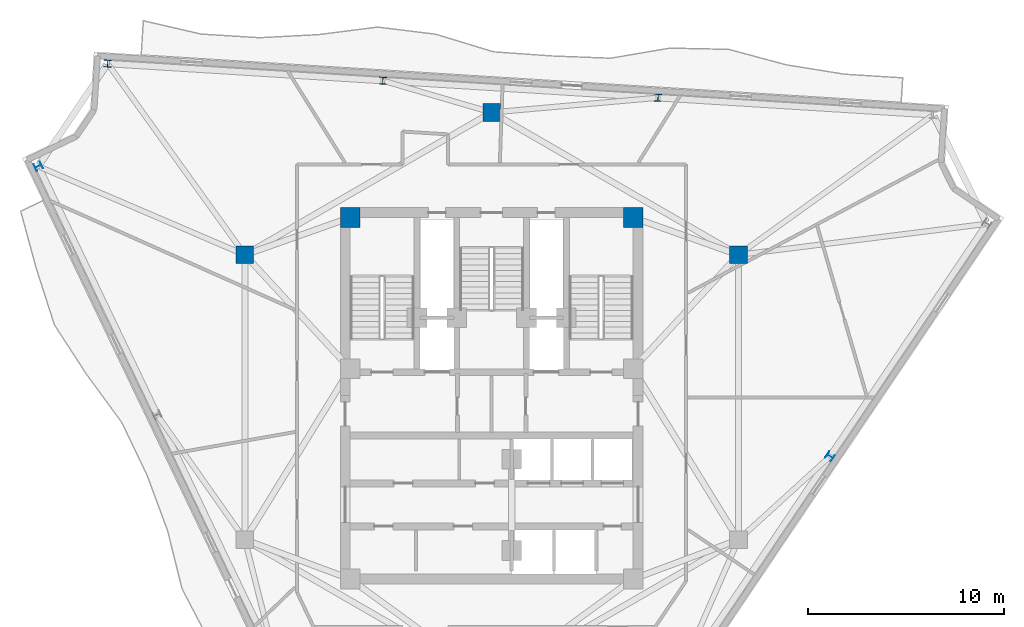
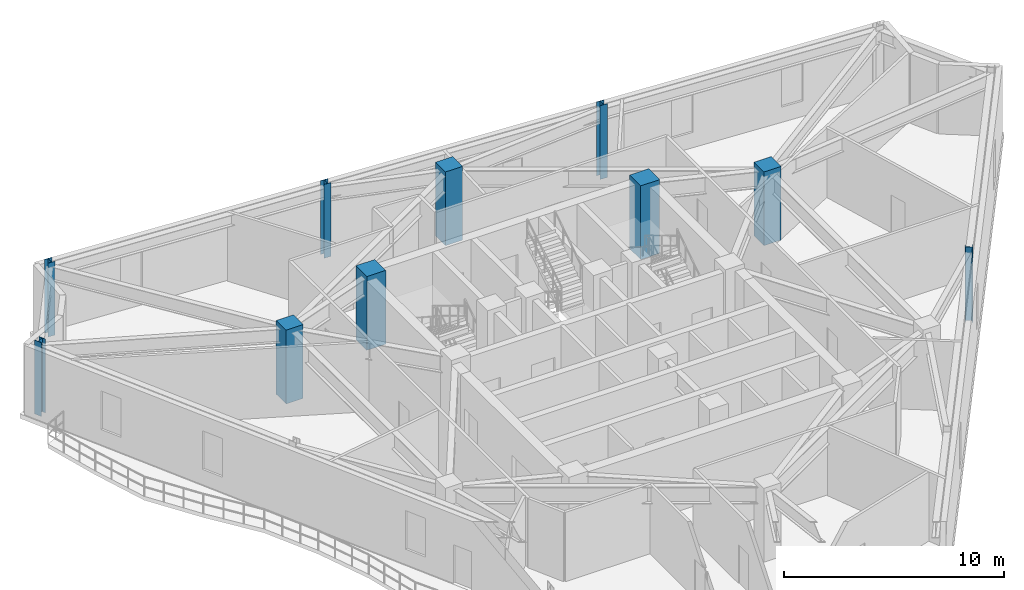
# One storey, part 2 of 10: 10 columns.
"""IFC4 building model written with IfcOpenShell, lengths in metres."""

from ifc_helpers import new_model, si_unit, direction, frame, origin, origin_2d, place, context, subcontext, project, spatial, rectangle, i_section, extrude, material, material_profile, profile_set, type_object, element, save


model = new_model("IFC4")

# Units and contexts
model_context = context("Model", 3, precision=1e-05, world=origin(), true_north=direction((0.0, 1.0)))
body_context = subcontext(model_context, "Body", "Model", "MODEL_VIEW")
ifc_project = project(units=[si_unit("LENGTHUNIT", "METRE"), si_unit("AREAUNIT", "SQUARE_METRE"), si_unit("VOLUMEUNIT", "CUBIC_METRE"), si_unit("PLANEANGLEUNIT", "RADIAN"), si_unit("MASSUNIT", "GRAM", prefix="KILO")], contexts=[model_context])

# Site, building, storey
site_placement = place(None, origin())
site = spatial("IfcSite", under=ifc_project, at=site_placement, CompositionType="ELEMENT")
building_placement = place(site_placement, origin())
building = spatial("IfcBuilding", under=site, at=building_placement, Name="Apsidion Concourse Tower", CompositionType="ELEMENT")
storey_placement = place(building_placement, frame((0.0, 0.0, 302.39990234375)))
storey = spatial("IfcBuildingStorey", under=building, at=storey_placement, Name="L71", CompositionType="ELEMENT", Elevation=302.39990234375)

# Columns
ifc_material_1 = material(Name="Concrete C50/60", Category="concrete")
ifc_material_profile_1 = material_profile(ifc_material_1, rectangle(XDim=1.0, YDim=1.0, at=origin_2d()), Name="RC 1000x1000")
ifc_profile_set_1 = profile_set([ifc_material_profile_1], Name="Concrete C50/60")
column_type_1 = type_object("IfcColumnType", Name="COL-RC-1000", PredefinedType="COLUMN", material=ifc_profile_set_1)
for number, where, z_axis, x_axis, name in (
    (1, (7.199951171875, 9.14990234375, 0.0), (0.0, 0.0, 1.0), (1.0, 0.0, 0.0), "L71 Core Super-Column SC4"),
    (2, (-7.199951171875, 9.14990234375, 0.0), (0.0, 0.0, 1.0), (1.0, 0.0, 0.0), "L71 Core Super-Column SC5"),
):
    element("IfcColumn", number, at=place(storey_placement, frame(where, z_axis=z_axis, x_axis=x_axis)), inside=storey, type_object=column_type_1, Name=name, PredefinedType="COLUMN", context=body_context, shape_type="SweptSolid", body=[
        extrude(rectangle(XDim=1.0, YDim=1.0, at=origin_2d()), origin(), (0.0, 0.0, 1.0), 4.10009765625),
    ])
ifc_material_profile_2 = material_profile(ifc_material_1, rectangle(XDim=0.89990234375, YDim=0.89990234375, at=origin_2d()), Name="RC 900x900")
ifc_profile_set_2 = profile_set([ifc_material_profile_2], Name="Concrete C50/60")
column_type_2 = type_object("IfcColumnType", Name="COL-RC-900", PredefinedType="COLUMN", material=ifc_profile_set_2)
for number, where, z_axis, x_axis, name in (
    (3, (12.56005859375, 7.25, 0.0), (0.0, 0.0, 1.0), (1.0, 0.0, 0.0), "L71 Interior Spine Column IC3"),
    (4, (0.0, 14.5, 0.0), (0.0, 0.0, 1.0), (1.0, 0.0, 0.0), "L71 Interior Spine Column IC4"),
    (5, (-12.56005859375, 7.25, 0.0), (0.0, 0.0, 1.0), (1.0, 0.0, 0.0), "L71 Interior Spine Column IC5"),
):
    element("IfcColumn", number, at=place(storey_placement, frame(where, z_axis=z_axis, x_axis=x_axis)), inside=storey, type_object=column_type_2, Name=name, PredefinedType="COLUMN", context=body_context, shape_type="SweptSolid", body=[
        extrude(rectangle(XDim=0.89990234375, YDim=0.89990234375, at=origin_2d()), origin(), (0.0, 0.0, 1.0), 4.10009765625),
    ])
ifc_material_2 = material(Name="Structural steel ASTM A992 Grade 50", Category="steel")
ifc_material_profile_3 = material_profile(ifc_material_2, i_section(OverallWidth=0.367919921875, OverallDepth=0.35595703125, WebThickness=0.01123046875, FlangeThickness=0.01806640625, at=origin_2d()), Name="W14X90")
ifc_profile_set_3 = profile_set([ifc_material_profile_3], Name="Structural steel ASTM A992 Grade 50")
column_type_3 = type_object("IfcColumnType", Name="COL-W14-90", PredefinedType="COLUMN", material=ifc_profile_set_3)
for number, where, z_axis, x_axis, name in (
    (6, (-23.0732421875, 11.758544921875, 0.0), (0.0, 0.0, 1.0), (-0.431298587031, 0.902209248913, 0.0), "L71 Rotated Perimeter Column PC01"),
    (7, (17.223876953125, -3.005615234375, 0.0), (0.0, 0.0, 1.0), (0.559192903471, 0.829037572555, 0.0), "L71 Rotated Perimeter Column PC07"),
    (8, (8.469482421875, 15.24853515625, 0.0), (0.0, 0.0, 1.0), (-0.998081143466, 0.061919553109, 0.0), "L71 Rotated Perimeter Column PC10"),
    (9, (-5.5380859375, 16.118408203125, 0.0), (0.0, 0.0, 1.0), (-0.998081143466, 0.061919553109, 0.0), "L71 Rotated Perimeter Column PC11"),
    (10, (-19.5458984375, 16.98828125, 0.0), (0.0, 0.0, 1.0), (-0.998081143466, 0.061919553109, 0.0), "L71 Rotated Perimeter Column PC12"),
):
    element("IfcColumn", number, at=place(storey_placement, frame(where, z_axis=z_axis, x_axis=x_axis)), inside=storey, type_object=column_type_3, Name=name, PredefinedType="COLUMN", context=body_context, shape_type="SweptSolid", body=[
        extrude(i_section(OverallWidth=0.367919921875, OverallDepth=0.35595703125, WebThickness=0.01123046875, FlangeThickness=0.01806640625, at=origin_2d()), origin(), (0.0, 0.0, 1.0), 4.10009765625),
    ])

save(model, "model.ifc")
